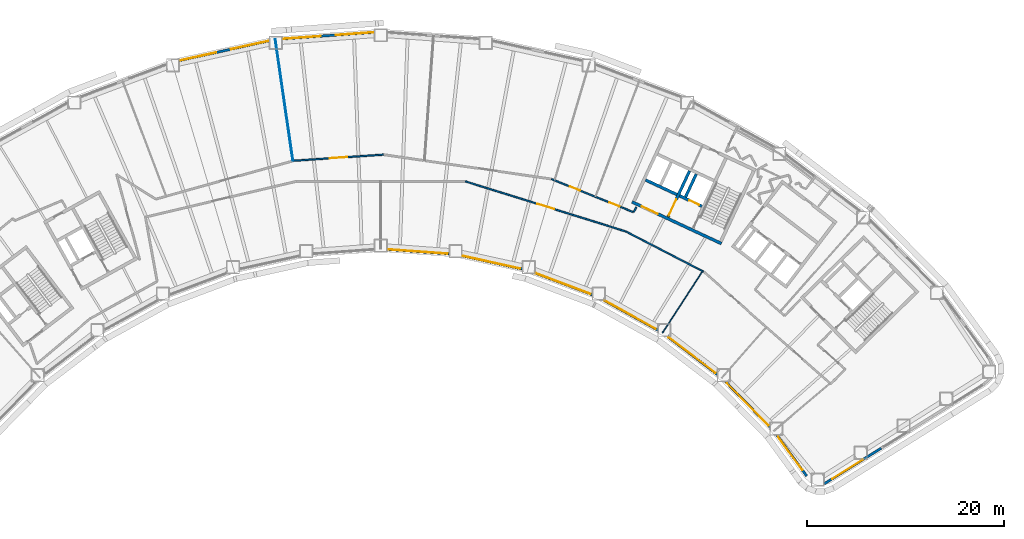
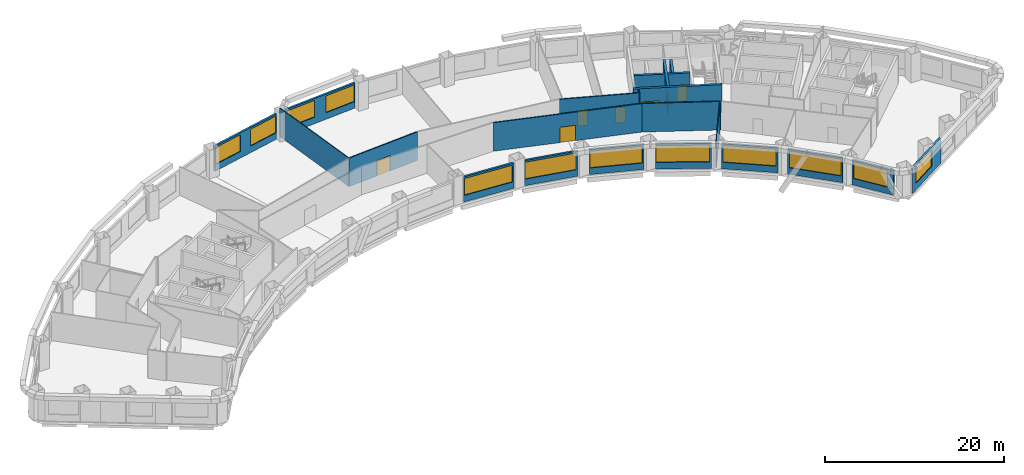
# One storey, part 5 of 11: 22 walls, 12 windows, 7 doors, 19 openings.
"""IFC4 building model written with IfcOpenShell, lengths in metres."""

from ifc_helpers import new_model, si_unit, direction, frame, frame_2d, origin, place, context, subcontext, project, spatial, rectangle, extrude, material, layer, layer_set, type_object, element, fill, save


model = new_model("IFC4")

# Units and contexts
model_context = context("Model", 3, precision=1e-05, world=origin(), true_north=direction((0.0, 1.0)))
body_context = subcontext(model_context, "Body", "Model", "MODEL_VIEW")
ifc_project = project(units=[si_unit("LENGTHUNIT", "METRE"), si_unit("AREAUNIT", "SQUARE_METRE"), si_unit("VOLUMEUNIT", "CUBIC_METRE"), si_unit("PLANEANGLEUNIT", "RADIAN"), si_unit("MASSUNIT", "GRAM", prefix="KILO")], contexts=[model_context])

# Site, building, storey
site_placement = place(None, origin())
site = spatial("IfcSite", under=ifc_project, at=site_placement, CompositionType="ELEMENT")
building_placement = place(site_placement, origin())
building = spatial("IfcBuilding", under=site, at=building_placement, Name="Tuul Gate Civic Tower", CompositionType="ELEMENT")
storey_placement = place(building_placement, frame((0.0, 0.0, 35.699951171875)))
storey = spatial("IfcBuildingStorey", under=building, at=storey_placement, Name="Level 07", CompositionType="ELEMENT", Elevation=35.699951171875)

# Wall, opening, door
ifc_material_1 = material(Name="Concrete C50/60", Category="concrete")
ifc_layer_1 = layer(ifc_material_1, 0.300048828125)
ifc_layer_set_1 = layer_set([ifc_layer_1], Name="Concrete C50/60")
wall_type_1 = type_object("IfcWallType", Name="Core wall C50/60", PredefinedType="SHEAR", material=ifc_layer_set_1)
wall_1_placement = place(storey_placement, frame((34.5283203125, -7.25, 0.0), z_axis=(0.0, 0.0, 1.0), x_axis=(-0.906310338845, 0.422612789327, 0.0)))
wall_1 = element("IfcWall", 1, at=wall_1_placement, inside=storey, type_object=wall_type_1, Name="Core wall", PredefinedType="SHEAR", context=body_context, shape_type="SweptSolid", body=[
    extrude(rectangle(XDim=9.999755859375, YDim=0.300048828125, at=frame_2d((5.0, 0.0))), origin(), (0.0, 0.0, 1.0), 3.900146484375),
])
opening_1_placement = place(wall_1_placement, frame((7.125, 0.0, 0.0)))
opening_1 = element("IfcOpeningElement", 2, at=opening_1_placement, cuts=wall_1, Name="Opening LB-E3-LOBBY-1", PredefinedType="OPENING", context=body_context, shape_type="SweptSolid", body=[
    extrude(rectangle(XDim=1.800048828125, YDim=2.10009765625, at=frame_2d((0.89990234375, 1.050048828125))), frame((0.0, 0.16015625, 0.0), z_axis=(0.0, -1.0, 0.0), x_axis=(1.0, 0.0, 0.0)), (0.0, 0.0, 1.0), 0.320068359375),
])
ifc_material_2 = material(Name="Steel", Category="steel")
door_type_1 = type_object("IfcDoorType", Name="Lobby door", OperationType="DOUBLE_DOOR_SINGLE_SWING", PredefinedType="DOOR", material=ifc_material_2)
door_1_placement = place(opening_1_placement, frame((1.800048828125, 0.0, 0.0), z_axis=(0.0, 0.0, 1.0), x_axis=(-1.0, 0.0, 0.0)))
door_1 = element("IfcDoor", 3, at=door_1_placement, inside=storey, type_object=door_type_1, Name="Lobby door E3-LOBBY", OperationType="DOUBLE_DOOR_SINGLE_SWING", OverallHeight=2.10009765625, OverallWidth=1.800048828125, PredefinedType="DOOR", context=body_context, shape_type="SweptSolid", body=[
    extrude(rectangle(XDim=1.800048828125, YDim=2.10009765625, at=frame_2d((0.900146484375, 1.050048828125))), frame((0.0, 0.02490234375, 0.0), z_axis=(0.0, -1.0, 0.0), x_axis=(1.0, 0.0, 0.0)), (0.0, 0.0, 1.0), 0.050048828125),
])
fill(opening_1, door_1)

wall_2_placement = place(storey_placement, frame((32.545654296875, -3.456787109375, 0.0), z_axis=(0.0, 0.0, 1.0), x_axis=(-0.906300357825, 0.42263419337, 0.0)))
wall_2 = element("IfcWall", 4, at=wall_2_placement, inside=storey, type_object=wall_type_1, Name="Core wall", PredefinedType="SHEAR", context=body_context, shape_type="SweptSolid", body=[
    extrude(rectangle(XDim=2.500244140625, YDim=0.300048828125, at=frame_2d((1.25, 0.0))), origin(), (0.0, 0.0, 1.0), 3.900146484375),
])
opening_2_placement = place(wall_2_placement, frame((0.324951171875, 0.0, 0.0)))
opening_2 = element("IfcOpeningElement", 5, at=opening_2_placement, cuts=wall_2, Name="Opening LD-FF-2", PredefinedType="OPENING", context=body_context, shape_type="SweptSolid", body=[
    extrude(rectangle(XDim=1.10009765625, YDim=2.10009765625, at=frame_2d((0.550048828125, 1.050048828125))), frame((0.0, 0.16015625, 0.0), z_axis=(0.0, -1.0, 0.0), x_axis=(1.0, 0.0, 0.0)), (0.0, 0.0, 1.0), 0.320068359375),
])
ifc_material_3 = material(Name="Stainless steel", Category="steel")
door_type_2 = type_object("IfcDoorType", Name="Landing door", OperationType="DOUBLE_DOOR_SLIDING", PredefinedType="DOOR", material=ifc_material_3)
door_2_placement = place(opening_2_placement, origin())
door_2 = element("IfcDoor", 6, at=door_2_placement, inside=storey, type_object=door_type_2, Name="Fire-fighting lift FF-2 landing door", OperationType="DOUBLE_DOOR_SLIDING", OverallHeight=2.10009765625, OverallWidth=1.10009765625, PredefinedType="DOOR", context=body_context, shape_type="SweptSolid", body=[
    extrude(rectangle(XDim=1.10009765625, YDim=2.10009765625, at=frame_2d((0.550048828125, 1.050048828125))), frame((0.0, 0.02490234375, 0.0), z_axis=(0.0, -1.0, 0.0), x_axis=(1.0, 0.0, 0.0)), (0.0, 0.0, 1.0), 0.050048828125),
])
fill(opening_2, door_2)

# Walls
wall_3_placement = place(storey_placement, frame((30.0078125, -2.2734375, 0.0), z_axis=(0.0, 0.0, 1.0), x_axis=(-0.90630071767, 0.422633421716, 0.0)))
element("IfcWall", 7, at=wall_3_placement, inside=storey, type_object=wall_type_1, Name="Core wall", PredefinedType="SHEAR", context=body_context, shape_type="SweptSolid", body=[
    extrude(rectangle(XDim=3.5, YDim=0.300048828125, at=frame_2d((1.75, 0.0))), origin(), (0.0, 0.0, 1.0), 3.900146484375),
])
wall_4_placement = place(storey_placement, frame((30.886962890625, -2.517822265625, 0.0), z_axis=(0.0, 0.0, 1.0), x_axis=(0.422612891016, 0.906310291427, 0.0)))
element("IfcWall", 8, at=wall_4_placement, inside=storey, type_object=wall_type_1, Name="Core wall", PredefinedType="SHEAR", context=body_context, shape_type="SweptSolid", body=[
    extrude(rectangle(XDim=2.550048828125, YDim=0.300048828125, at=frame_2d((1.27490234375, 0.0))), origin(), (0.0, 0.0, 1.0), 3.900146484375),
])

# Wall, opening, door
wall_5_placement = place(storey_placement, frame((29.108642578125, -4.557373046875, 0.0), z_axis=(0.0, 0.0, 1.0), x_axis=(0.422566235356, 0.90633204552, 0.0)))
wall_5 = element("IfcWall", 9, at=wall_5_placement, inside=storey, type_object=wall_type_1, Name="Core wall", PredefinedType="SHEAR", context=body_context, shape_type="SweptSolid", body=[
    extrude(rectangle(XDim=5.150146484375, YDim=0.300048828125, at=frame_2d((2.5751953125, 0.0))), origin(), (0.0, 0.0, 1.0), 3.900146484375),
])
opening_3_placement = place(wall_5_placement, frame((0.175048828125, 0.0, 0.0)))
opening_3 = element("IfcOpeningElement", 10, at=opening_3_placement, cuts=wall_5, Name="Opening LB-E3-FLOBBY-1", PredefinedType="OPENING", context=body_context, shape_type="SweptSolid", body=[
    extrude(rectangle(XDim=1.800048828125, YDim=2.10009765625, at=frame_2d((0.89990234375, 1.050048828125))), frame((0.0, 0.16015625, 0.0), z_axis=(0.0, -1.0, 0.0), x_axis=(1.0, 0.0, 0.0)), (0.0, 0.0, 1.0), 0.320068359375),
])
door_3_placement = place(opening_3_placement, frame((1.800048828125, 0.0, 0.0), z_axis=(0.0, 0.0, 1.0), x_axis=(-1.0, 0.0, 0.0)))
door_3 = element("IfcDoor", 11, at=door_3_placement, inside=storey, type_object=door_type_1, Name="Lobby door E3-FLOBBY", OperationType="DOUBLE_DOOR_SINGLE_SWING", OverallHeight=2.10009765625, OverallWidth=1.800048828125, PredefinedType="DOOR", context=body_context, shape_type="SweptSolid", body=[
    extrude(rectangle(XDim=1.800048828125, YDim=2.10009765625, at=frame_2d((0.900146484375, 1.050048828125))), frame((0.0, 0.02490234375, 0.0), z_axis=(0.0, -1.0, 0.0), x_axis=(1.0, 0.0, 0.0)), (0.0, 0.0, 1.0), 0.050048828125),
])
fill(opening_3, door_3)

# Wall
ifc_material_4 = material(Name="Gypsum board partition")
ifc_layer_2 = layer(ifc_material_4, 0.14990234375)
ifc_layer_set_2 = layer_set([ifc_layer_2], Name="Gypsum board partition")
wall_type_2 = type_object("IfcWallType", Name="Corridor wall P150", PredefinedType="PARTITIONING", material=ifc_layer_set_2)
wall_6_placement = place(storey_placement, frame((25.640625, -4.05224609375, 0.0), z_axis=(0.0, 0.0, 1.0), x_axis=(0.459613620353, 0.888118978508, 0.0)))
element("IfcWall", 12, at=wall_6_placement, inside=storey, type_object=wall_type_2, Name="p029", PredefinedType="PARTITIONING", context=body_context, shape_type="SweptSolid", body=[
    extrude(rectangle(XDim=0.55712890625, YDim=0.14990234375, at=frame_2d((0.278564453125, 0.0))), origin(), (0.0, 0.0, 1.0), 3.900146484375),
])

# Wall, openings, doors
wall_7_placement = place(storey_placement, frame((17.2890625, -0.700927734375, 0.0), z_axis=(0.0, 0.0, 1.0), x_axis=(0.927281052186, -0.374365930951, 0.0)))
wall_7 = element("IfcWall", 13, at=wall_7_placement, inside=storey, type_object=wall_type_2, Name="p031", PredefinedType="PARTITIONING", context=body_context, shape_type="SweptSolid", body=[
    extrude(rectangle(XDim=8.97802734375, YDim=0.14990234375, at=frame_2d((4.489013671875, 0.0))), origin(), (0.0, 0.0, 1.0), 3.900146484375),
])
opening_4_placement = place(wall_7_placement, frame((6.341064453125, 0.0, 0.0)))
opening_4 = element("IfcOpeningElement", 14, at=opening_4_placement, cuts=wall_7, Name="Opening A-D04", PredefinedType="OPENING", context=body_context, shape_type="SweptSolid", body=[
    extrude(rectangle(XDim=1.10009765625, YDim=2.10009765625, at=frame_2d((0.550048828125, 1.050048828125))), frame((0.0, 0.0849609375, 0.0), z_axis=(0.0, -1.0, 0.0), x_axis=(1.0, 0.0, 0.0)), (0.0, 0.0, 1.0), 0.169921875),
])
opening_5_placement = place(wall_7_placement, frame((2.023681640625, 0.0, 0.0)))
opening_5 = element("IfcOpeningElement", 15, at=opening_5_placement, cuts=wall_7, Name="Opening A-D05", PredefinedType="OPENING", context=body_context, shape_type="SweptSolid", body=[
    extrude(rectangle(XDim=1.10009765625, YDim=2.10009765625, at=frame_2d((0.550048828125, 1.050048828125))), frame((0.0, 0.0849609375, 0.0), z_axis=(0.0, -1.0, 0.0), x_axis=(1.0, 0.0, 0.0)), (0.0, 0.0, 1.0), 0.169921875),
])
ifc_material_5 = material(Name="Timber door leaf", Category="wood")
door_type_3 = type_object("IfcDoorType", Name="Door D11", OperationType="NOTDEFINED", PredefinedType="DOOR", material=ifc_material_5)
door_4_placement = place(opening_4_placement, origin())
door_4 = element("IfcDoor", 16, at=door_4_placement, inside=storey, type_object=door_type_3, Name="Door A-D04", OperationType="SINGLE_SWING_RIGHT", OverallHeight=2.10009765625, OverallWidth=1.10009765625, PredefinedType="DOOR", context=body_context, shape_type="SweptSolid", body=[
    extrude(rectangle(XDim=1.10009765625, YDim=2.10009765625, at=frame_2d((0.550048828125, 1.050048828125))), frame((0.0, 0.02490234375, 0.0), z_axis=(0.0, -1.0, 0.0), x_axis=(1.0, 0.0, 0.0)), (0.0, 0.0, 1.0), 0.050048828125),
])
fill(opening_4, door_4)
door_5_placement = place(opening_5_placement, origin())
door_5 = element("IfcDoor", 17, at=door_5_placement, inside=storey, type_object=door_type_3, Name="Door A-D05", OperationType="SINGLE_SWING_RIGHT", OverallHeight=2.10009765625, OverallWidth=1.10009765625, PredefinedType="DOOR", context=body_context, shape_type="SweptSolid", body=[
    extrude(rectangle(XDim=1.10009765625, YDim=2.10009765625, at=frame_2d((0.550048828125, 1.050048828125))), frame((0.0, 0.02490234375, 0.0), z_axis=(0.0, -1.0, 0.0), x_axis=(1.0, 0.0, 0.0)), (0.0, 0.0, 1.0), 0.050048828125),
])
fill(opening_5, door_5)

# Wall, opening, door
wall_8_placement = place(storey_placement, frame((-8.859619140625, 1.150390625, 0.0), z_axis=(0.0, 0.0, 1.0), x_axis=(0.997685215512, 0.068001549611, 0.0)))
wall_8 = element("IfcWall", 18, at=wall_8_placement, inside=storey, type_object=wall_type_2, Name="p036", PredefinedType="PARTITIONING", context=body_context, shape_type="SweptSolid", body=[
    extrude(rectangle(XDim=9.14794921875, YDim=0.14990234375, at=frame_2d((4.573974609375, 0.0))), origin(), (0.0, 0.0, 1.0), 3.900146484375),
])
opening_6_placement = place(wall_8_placement, frame((3.673828125, 0.0, 0.0)))
opening_6 = element("IfcOpeningElement", 19, at=opening_6_placement, cuts=wall_8, Name="Opening A-D07", PredefinedType="OPENING", context=body_context, shape_type="SweptSolid", body=[
    extrude(rectangle(XDim=1.800048828125, YDim=2.10009765625, at=frame_2d((0.89990234375, 1.050048828125))), frame((0.0, 0.0849609375, 0.0), z_axis=(0.0, -1.0, 0.0), x_axis=(1.0, 0.0, 0.0)), (0.0, 0.0, 1.0), 0.169921875),
])
ifc_material_6 = material(Name="Timber door leaf, double", Category="wood")
door_type_4 = type_object("IfcDoorType", Name="Door D18", OperationType="DOUBLE_DOOR_SINGLE_SWING", PredefinedType="DOOR", material=ifc_material_6)
door_6_placement = place(opening_6_placement, origin())
door_6 = element("IfcDoor", 20, at=door_6_placement, inside=storey, type_object=door_type_4, Name="Door A-D07", OperationType="DOUBLE_DOOR_SINGLE_SWING", OverallHeight=2.10009765625, OverallWidth=1.800048828125, PredefinedType="DOOR", context=body_context, shape_type="SweptSolid", body=[
    extrude(rectangle(XDim=1.800048828125, YDim=2.10009765625, at=frame_2d((0.89990234375, 1.050048828125))), frame((0.0, 0.02490234375, 0.0), z_axis=(0.0, -1.0, 0.0), x_axis=(1.0, 0.0, 0.0)), (0.0, 0.0, 1.0), 0.050048828125),
])
fill(opening_6, door_6)

# Wall
wall_9_placement = place(storey_placement, frame((24.8642578125, -6.023681640625, 0.0), z_axis=(0.0, 0.0, 1.0), x_axis=(0.888095926635, -0.459658161132, 0.0)))
element("IfcWall", 21, at=wall_9_placement, inside=storey, type_object=wall_type_2, Name="p056", PredefinedType="PARTITIONING", context=body_context, shape_type="SweptSolid", body=[
    extrude(rectangle(XDim=8.83642578125, YDim=0.14990234375, at=frame_2d((4.418212890625, 0.0))), origin(), (0.0, 0.0, 1.0), 3.900146484375),
])

# Wall, opening, door
wall_10_placement = place(storey_placement, frame((8.5595703125, -0.934326171875, 0.0), z_axis=(0.0, 0.0, 1.0), x_axis=(0.954573525143, -0.29797547734, 0.0)))
wall_10 = element("IfcWall", 22, at=wall_10_placement, inside=storey, type_object=wall_type_2, Name="p059", PredefinedType="PARTITIONING", context=body_context, shape_type="SweptSolid", body=[
    extrude(rectangle(XDim=17.08056640625, YDim=0.14990234375, at=frame_2d((8.540283203125, 0.0))), origin(), (0.0, 0.0, 1.0), 3.900146484375),
])
opening_7_placement = place(wall_10_placement, frame((7.640380859375, 0.0, 0.0)))
opening_7 = element("IfcOpeningElement", 23, at=opening_7_placement, cuts=wall_10, Name="Opening A-D15", PredefinedType="OPENING", context=body_context, shape_type="SweptSolid", body=[
    extrude(rectangle(XDim=1.800048828125, YDim=2.10009765625, at=frame_2d((0.89990234375, 1.050048828125))), frame((0.0, 0.0849609375, 0.0), z_axis=(0.0, -1.0, 0.0), x_axis=(1.0, 0.0, 0.0)), (0.0, 0.0, 1.0), 0.169921875),
])
door_7_placement = place(opening_7_placement, frame((1.800048828125, 0.0, 0.0), z_axis=(0.0, 0.0, 1.0), x_axis=(-1.0, 0.0, 0.0)))
door_7 = element("IfcDoor", 24, at=door_7_placement, inside=storey, type_object=door_type_4, Name="Door A-D15", OperationType="DOUBLE_DOOR_SINGLE_SWING", OverallHeight=2.10009765625, OverallWidth=1.800048828125, PredefinedType="DOOR", context=body_context, shape_type="SweptSolid", body=[
    extrude(rectangle(XDim=1.800048828125, YDim=2.10009765625, at=frame_2d((0.900146484375, 1.050048828125))), frame((0.0, 0.02490234375, 0.0), z_axis=(0.0, -1.0, 0.0), x_axis=(1.0, 0.0, 0.0)), (0.0, 0.0, 1.0), 0.050048828125),
])
fill(opening_7, door_7)

# Wall, openings, windows
ifc_material_7 = material(Name="Precast concrete C40/50", Category="concrete")
ifc_layer_3 = layer(ifc_material_7, 0.25)
ifc_layer_set_3 = layer_set([ifc_layer_3], Name="Precast concrete C40/50")
wall_type_3 = type_object("IfcWallType", Name="External wall", PredefinedType="STANDARD", material=ifc_layer_set_3)
wall_11_placement = place(storey_placement, frame((-0.64990234375, 14.177490234375, 0.0), z_axis=(0.0, 0.0, 1.0), x_axis=(-0.997388413682, -0.072224318983, 0.0)))
wall_11 = element("IfcWall", 25, at=wall_11_placement, inside=storey, type_object=wall_type_3, Name="External wall", PredefinedType="STANDARD", context=body_context, shape_type="SweptSolid", body=[
    extrude(rectangle(XDim=9.37353515625, YDim=0.25, at=frame_2d((4.686767578125, 0.0))), origin(), (0.0, 0.0, 1.0), 3.449951171875),
])
opening_8_placement = place(wall_11_placement, frame((0.099853515625, 0.0, 0.89990234375)))
opening_8 = element("IfcOpeningElement", 26, at=opening_8_placement, cuts=wall_11, Name="Opening W22", PredefinedType="OPENING", context=body_context, shape_type="SweptSolid", body=[
    extrude(rectangle(XDim=3.85009765625, YDim=2.300048828125, at=frame_2d((1.925048828125, 1.14990234375))), frame((0.0, 0.135009765625, 0.0), z_axis=(0.0, -1.0, 0.0), x_axis=(1.0, 0.0, 0.0)), (0.0, 0.0, 1.0), 0.27001953125),
])
opening_9_placement = place(wall_11_placement, frame((5.470703125, 0.0, 0.89990234375)))
opening_9 = element("IfcOpeningElement", 27, at=opening_9_placement, cuts=wall_11, Name="Opening W22", PredefinedType="OPENING", context=body_context, shape_type="SweptSolid", body=[
    extrude(rectangle(XDim=3.85009765625, YDim=2.300048828125, at=frame_2d((1.925048828125, 1.14990234375))), frame((0.0, 0.135009765625, 0.0), z_axis=(0.0, -1.0, 0.0), x_axis=(1.0, 0.0, 0.0)), (0.0, 0.0, 1.0), 0.27001953125),
])
ifc_material_8 = material(Name="Glass", Category="glass")
window_type_1 = type_object("IfcWindowType", Name="Window W22 3850 x 2300", PartitioningType="SINGLE_PANEL", PredefinedType="WINDOW", material=ifc_material_8)
window_1_placement = place(opening_8_placement, origin())
window_1 = element("IfcWindow", 28, at=window_1_placement, inside=storey, type_object=window_type_1, Name="Window", OverallHeight=2.300048828125, OverallWidth=3.85009765625, PartitioningType="SINGLE_PANEL", PredefinedType="WINDOW", context=body_context, shape_type="SweptSolid", body=[
    extrude(rectangle(XDim=3.85009765625, YDim=2.300048828125, at=frame_2d((1.925048828125, 1.14990234375))), frame((0.0, 0.030029296875, 0.0), z_axis=(0.0, -1.0, 0.0), x_axis=(1.0, 0.0, 0.0)), (0.0, 0.0, 1.0), 0.06005859375),
])
fill(opening_8, window_1)
window_2_placement = place(opening_9_placement, origin())
window_2 = element("IfcWindow", 29, at=window_2_placement, inside=storey, type_object=window_type_1, Name="Window", OverallHeight=2.300048828125, OverallWidth=3.85009765625, PartitioningType="SINGLE_PANEL", PredefinedType="WINDOW", context=body_context, shape_type="SweptSolid", body=[
    extrude(rectangle(XDim=3.85009765625, YDim=2.300048828125, at=frame_2d((1.925048828125, 1.14990234375))), frame((0.0, 0.030029296875, 0.0), z_axis=(0.0, -1.0, 0.0), x_axis=(1.0, 0.0, 0.0)), (0.0, 0.0, 1.0), 0.06005859375),
])
fill(opening_9, window_2)

wall_12_placement = place(storey_placement, frame((-11.299072265625, 13.317138671875, 0.0), z_axis=(0.0, 0.0, 1.0), x_axis=(-0.97654219172, -0.215326142841, 0.0)))
wall_12 = element("IfcWall", 30, at=wall_12_placement, inside=storey, type_object=wall_type_3, Name="External wall", PredefinedType="STANDARD", context=body_context, shape_type="SweptSolid", body=[
    extrude(rectangle(XDim=9.34716796875, YDim=0.25, at=frame_2d((4.673583984375, 0.0))), origin(), (0.0, 0.0, 1.0), 3.449951171875),
])
opening_10_placement = place(wall_12_placement, frame((0.134033203125, 0.0, 0.89990234375)))
opening_10 = element("IfcOpeningElement", 31, at=opening_10_placement, cuts=wall_12, Name="Opening W22", PredefinedType="OPENING", context=body_context, shape_type="SweptSolid", body=[
    extrude(rectangle(XDim=3.85009765625, YDim=2.300048828125, at=frame_2d((1.925048828125, 1.14990234375))), frame((0.0, 0.135009765625, 0.0), z_axis=(0.0, -1.0, 0.0), x_axis=(1.0, 0.0, 0.0)), (0.0, 0.0, 1.0), 0.27001953125),
])
opening_11_placement = place(wall_12_placement, frame((5.5029296875, 0.0, 0.89990234375)))
opening_11 = element("IfcOpeningElement", 32, at=opening_11_placement, cuts=wall_12, Name="Opening W100", PredefinedType="OPENING", context=body_context, shape_type="SweptSolid", body=[
    extrude(rectangle(XDim=3.800048828125, YDim=2.300048828125, at=frame_2d((1.89990234375, 1.14990234375))), frame((0.0, 0.135009765625, 0.0), z_axis=(0.0, -1.0, 0.0), x_axis=(1.0, 0.0, 0.0)), (0.0, 0.0, 1.0), 0.27001953125),
])
ifc_material_9 = material(Name="Glass", Category="glass")
window_type_2 = type_object("IfcWindowType", Name="Window W100 3800 x 2300", PartitioningType="SINGLE_PANEL", PredefinedType="WINDOW", material=ifc_material_9)
window_3_placement = place(opening_11_placement, origin())
window_3 = element("IfcWindow", 33, at=window_3_placement, inside=storey, type_object=window_type_2, Name="Window", OverallHeight=2.300048828125, OverallWidth=3.800048828125, PartitioningType="SINGLE_PANEL", PredefinedType="WINDOW", context=body_context, shape_type="SweptSolid", body=[
    extrude(rectangle(XDim=3.800048828125, YDim=2.300048828125, at=frame_2d((1.89990234375, 1.14990234375))), frame((0.0, 0.030029296875, 0.0), z_axis=(0.0, -1.0, 0.0), x_axis=(1.0, 0.0, 0.0)), (0.0, 0.0, 1.0), 0.06005859375),
])
fill(opening_11, window_3)
window_4_placement = place(opening_10_placement, origin())
window_4 = element("IfcWindow", 34, at=window_4_placement, inside=storey, type_object=window_type_1, Name="Window", OverallHeight=2.300048828125, OverallWidth=3.85009765625, PartitioningType="SINGLE_PANEL", PredefinedType="WINDOW", context=body_context, shape_type="SweptSolid", body=[
    extrude(rectangle(XDim=3.85009765625, YDim=2.300048828125, at=frame_2d((1.925048828125, 1.14990234375))), frame((0.0, 0.030029296875, 0.0), z_axis=(0.0, -1.0, 0.0), x_axis=(1.0, 0.0, 0.0)), (0.0, 0.0, 1.0), 0.06005859375),
])
fill(opening_10, window_4)

# Wall, opening, window
wall_13_placement = place(storey_placement, frame((0.64990234375, -7.830810546875, 0.0), z_axis=(0.0, 0.0, 1.0), x_axis=(0.997395047269, -0.072132653374, 0.0)))
wall_13 = element("IfcWall", 35, at=wall_13_placement, inside=storey, type_object=wall_type_3, Name="External wall", PredefinedType="STANDARD", context=body_context, shape_type="SweptSolid", body=[
    extrude(rectangle(XDim=6.28857421875, YDim=0.25, at=frame_2d((3.144287109375, 0.0))), origin(), (0.0, 0.0, 1.0), 3.449951171875),
])
opening_12_placement = place(wall_13_placement, frame((0.12060546875, 0.0, 0.89990234375)))
opening_12 = element("IfcOpeningElement", 36, at=opening_12_placement, cuts=wall_13, Name="Opening W26", PredefinedType="OPENING", context=body_context, shape_type="SweptSolid", body=[
    extrude(rectangle(XDim=6.0, YDim=2.300048828125, at=frame_2d((3.0, 1.14990234375))), frame((0.0, 0.135009765625, 0.0), z_axis=(0.0, -1.0, 0.0), x_axis=(1.0, 0.0, 0.0)), (0.0, 0.0, 1.0), 0.27001953125),
])
ifc_material_10 = material(Name="Glass", Category="glass")
window_type_3 = type_object("IfcWindowType", Name="Window W26 6000 x 2300", PartitioningType="SINGLE_PANEL", PredefinedType="WINDOW", material=ifc_material_10)
window_5_placement = place(opening_12_placement, origin())
window_5 = element("IfcWindow", 37, at=window_5_placement, inside=storey, type_object=window_type_3, Name="Window", OverallHeight=2.300048828125, OverallWidth=6.0, PartitioningType="SINGLE_PANEL", PredefinedType="WINDOW", context=body_context, shape_type="SweptSolid", body=[
    extrude(rectangle(XDim=6.0, YDim=2.300048828125, at=frame_2d((3.0, 1.14990234375))), frame((0.0, 0.030029296875, 0.0), z_axis=(0.0, -1.0, 0.0), x_axis=(1.0, 0.0, 0.0)), (0.0, 0.0, 1.0), 0.06005859375),
])
fill(opening_12, window_5)

wall_14_placement = place(storey_placement, frame((8.221923828125, -8.481689453125, 0.0), z_axis=(0.0, 0.0, 1.0), x_axis=(0.97656633669, -0.215216611915, 0.0)))
wall_14 = element("IfcWall", 38, at=wall_14_placement, inside=storey, type_object=wall_type_3, Name="External wall", PredefinedType="STANDARD", context=body_context, shape_type="SweptSolid", body=[
    extrude(rectangle(XDim=6.2607421875, YDim=0.25, at=frame_2d((3.13037109375, 0.0))), origin(), (0.0, 0.0, 1.0), 3.449951171875),
])
opening_13_placement = place(wall_14_placement, frame((0.05859375, 0.0, 0.89990234375)))
opening_13 = element("IfcOpeningElement", 39, at=opening_13_placement, cuts=wall_14, Name="Opening W26", PredefinedType="OPENING", context=body_context, shape_type="SweptSolid", body=[
    extrude(rectangle(XDim=6.0, YDim=2.300048828125, at=frame_2d((3.0, 1.14990234375))), frame((0.0, 0.135009765625, 0.0), z_axis=(0.0, -1.0, 0.0), x_axis=(1.0, 0.0, 0.0)), (0.0, 0.0, 1.0), 0.27001953125),
])
window_6_placement = place(opening_13_placement, origin())
window_6 = element("IfcWindow", 40, at=window_6_placement, inside=storey, type_object=window_type_3, Name="Window", OverallHeight=2.300048828125, OverallWidth=6.0, PartitioningType="SINGLE_PANEL", PredefinedType="WINDOW", context=body_context, shape_type="SweptSolid", body=[
    extrude(rectangle(XDim=6.0, YDim=2.300048828125, at=frame_2d((3.0, 1.14990234375))), frame((0.0, 0.030029296875, 0.0), z_axis=(0.0, -1.0, 0.0), x_axis=(1.0, 0.0, 0.0)), (0.0, 0.0, 1.0), 0.06005859375),
])
fill(opening_13, window_6)

wall_15_placement = place(storey_placement, frame((15.635986328125, -10.23291015625, 0.0), z_axis=(0.0, 0.0, 1.0), x_axis=(0.935359836581, -0.353697577193, 0.0)))
wall_15 = element("IfcWall", 41, at=wall_15_placement, inside=storey, type_object=wall_type_3, Name="External wall", PredefinedType="STANDARD", context=body_context, shape_type="SweptSolid", body=[
    extrude(rectangle(XDim=6.201904296875, YDim=0.25, at=frame_2d((3.10107421875, 0.0))), origin(), (0.0, 0.0, 1.0), 3.449951171875),
])
opening_14_placement = place(wall_15_placement, frame((0.0458984375, 0.0, 0.89990234375)))
opening_14 = element("IfcOpeningElement", 42, at=opening_14_placement, cuts=wall_15, Name="Opening W101", PredefinedType="OPENING", context=body_context, shape_type="SweptSolid", body=[
    extrude(rectangle(XDim=5.949951171875, YDim=2.300048828125, at=frame_2d((2.97509765625, 1.14990234375))), frame((0.0, 0.135009765625, 0.0), z_axis=(0.0, -1.0, 0.0), x_axis=(1.0, 0.0, 0.0)), (0.0, 0.0, 1.0), 0.27001953125),
])
ifc_material_11 = material(Name="Glass", Category="glass")
window_type_4 = type_object("IfcWindowType", Name="Window W101 5950 x 2300", PartitioningType="SINGLE_PANEL", PredefinedType="WINDOW", material=ifc_material_11)
window_7_placement = place(opening_14_placement, origin())
window_7 = element("IfcWindow", 43, at=window_7_placement, inside=storey, type_object=window_type_4, Name="Window", OverallHeight=2.300048828125, OverallWidth=5.949951171875, PartitioningType="SINGLE_PANEL", PredefinedType="WINDOW", context=body_context, shape_type="SweptSolid", body=[
    extrude(rectangle(XDim=5.949951171875, YDim=2.300048828125, at=frame_2d((2.97509765625, 1.14990234375))), frame((0.0, 0.030029296875, 0.0), z_axis=(0.0, -1.0, 0.0), x_axis=(1.0, 0.0, 0.0)), (0.0, 0.0, 1.0), 0.06005859375),
])
fill(opening_14, window_7)

wall_16_placement = place(storey_placement, frame((22.589599609375, -12.97509765625, 0.0), z_axis=(0.0, 0.0, 1.0), x_axis=(0.874630436192, -0.484790264018, 0.0)))
wall_16 = element("IfcWall", 44, at=wall_16_placement, inside=storey, type_object=wall_type_3, Name="External wall", PredefinedType="STANDARD", context=body_context, shape_type="SweptSolid", body=[
    extrude(rectangle(XDim=6.27392578125, YDim=0.25, at=frame_2d((3.136962890625, 0.0))), origin(), (0.0, 0.0, 1.0), 3.449951171875),
])
opening_15_placement = place(wall_16_placement, frame((0.0869140625, 0.0, 0.89990234375)))
opening_15 = element("IfcOpeningElement", 45, at=opening_15_placement, cuts=wall_16, Name="Opening W101", PredefinedType="OPENING", context=body_context, shape_type="SweptSolid", body=[
    extrude(rectangle(XDim=5.949951171875, YDim=2.300048828125, at=frame_2d((2.97509765625, 1.14990234375))), frame((0.0, 0.135009765625, 0.0), z_axis=(0.0, -1.0, 0.0), x_axis=(1.0, 0.0, 0.0)), (0.0, 0.0, 1.0), 0.27001953125),
])
window_8_placement = place(opening_15_placement, origin())
window_8 = element("IfcWindow", 46, at=window_8_placement, inside=storey, type_object=window_type_4, Name="Window", OverallHeight=2.300048828125, OverallWidth=5.949951171875, PartitioningType="SINGLE_PANEL", PredefinedType="WINDOW", context=body_context, shape_type="SweptSolid", body=[
    extrude(rectangle(XDim=5.949951171875, YDim=2.300048828125, at=frame_2d((2.97509765625, 1.14990234375))), frame((0.0, 0.030029296875, 0.0), z_axis=(0.0, -1.0, 0.0), x_axis=(1.0, 0.0, 0.0)), (0.0, 0.0, 1.0), 0.06005859375),
])
fill(opening_15, window_8)

wall_17_placement = place(storey_placement, frame((29.044921875, -16.656005859375, 0.0), z_axis=(0.0, 0.0, 1.0), x_axis=(0.795571471624, -0.605859747416, 0.0)))
wall_17 = element("IfcWall", 47, at=wall_17_placement, inside=storey, type_object=wall_type_3, Name="External wall", PredefinedType="STANDARD", context=body_context, shape_type="SweptSolid", body=[
    extrude(rectangle(XDim=6.375244140625, YDim=0.25, at=frame_2d((3.1875, 0.0))), origin(), (0.0, 0.0, 1.0), 3.449951171875),
])
opening_16_placement = place(wall_17_placement, frame((0.1484375, 0.0, 0.89990234375)))
opening_16 = element("IfcOpeningElement", 48, at=opening_16_placement, cuts=wall_17, Name="Opening W26", PredefinedType="OPENING", context=body_context, shape_type="SweptSolid", body=[
    extrude(rectangle(XDim=6.0, YDim=2.300048828125, at=frame_2d((3.0, 1.14990234375))), frame((0.0, 0.135009765625, 0.0), z_axis=(0.0, -1.0, 0.0), x_axis=(1.0, 0.0, 0.0)), (0.0, 0.0, 1.0), 0.27001953125),
])
window_9_placement = place(opening_16_placement, origin())
window_9 = element("IfcWindow", 49, at=window_9_placement, inside=storey, type_object=window_type_3, Name="Window", OverallHeight=2.300048828125, OverallWidth=6.0, PartitioningType="SINGLE_PANEL", PredefinedType="WINDOW", context=body_context, shape_type="SweptSolid", body=[
    extrude(rectangle(XDim=6.0, YDim=2.300048828125, at=frame_2d((3.0, 1.14990234375))), frame((0.0, 0.030029296875, 0.0), z_axis=(0.0, -1.0, 0.0), x_axis=(1.0, 0.0, 0.0)), (0.0, 0.0, 1.0), 0.06005859375),
])
fill(opening_16, window_9)

wall_18_placement = place(storey_placement, frame((34.948974609375, -21.2548828125, 0.0), z_axis=(0.0, 0.0, 1.0), x_axis=(0.699998211198, -0.714144596227, 0.0)))
wall_18 = element("IfcWall", 50, at=wall_18_placement, inside=storey, type_object=wall_type_3, Name="External wall", PredefinedType="STANDARD", context=body_context, shape_type="SweptSolid", body=[
    extrude(rectangle(XDim=6.40283203125, YDim=0.25, at=frame_2d((3.201416015625, 0.0))), origin(), (0.0, 0.0, 1.0), 3.449951171875),
])
opening_17_placement = place(wall_18_placement, frame((0.203857421875, 0.0, 0.89990234375)))
opening_17 = element("IfcOpeningElement", 51, at=opening_17_placement, cuts=wall_18, Name="Opening W26", PredefinedType="OPENING", context=body_context, shape_type="SweptSolid", body=[
    extrude(rectangle(XDim=6.0, YDim=2.300048828125, at=frame_2d((3.0, 1.14990234375))), frame((0.0, 0.135009765625, 0.0), z_axis=(0.0, -1.0, 0.0), x_axis=(1.0, 0.0, 0.0)), (0.0, 0.0, 1.0), 0.27001953125),
])
window_10_placement = place(opening_17_placement, origin())
window_10 = element("IfcWindow", 52, at=window_10_placement, inside=storey, type_object=window_type_3, Name="Window", OverallHeight=2.300048828125, OverallWidth=6.0, PartitioningType="SINGLE_PANEL", PredefinedType="WINDOW", context=body_context, shape_type="SweptSolid", body=[
    extrude(rectangle(XDim=6.0, YDim=2.300048828125, at=frame_2d((3.0, 1.14990234375))), frame((0.0, 0.030029296875, 0.0), z_axis=(0.0, -1.0, 0.0), x_axis=(1.0, 0.0, 0.0)), (0.0, 0.0, 1.0), 0.06005859375),
])
fill(opening_17, window_10)

wall_19_placement = place(storey_placement, frame((40.1533203125, -26.676025390625, 0.0), z_axis=(0.0, 0.0, 1.0), x_axis=(0.589712900291, -0.807612961282, 0.0)))
wall_19 = element("IfcWall", 53, at=wall_19_placement, inside=storey, type_object=wall_type_3, Name="External wall", PredefinedType="STANDARD", context=body_context, shape_type="SweptSolid", body=[
    extrude(rectangle(XDim=5.120361328125, YDim=0.25, at=frame_2d((2.56005859375, 0.0))), origin(), (0.0, 0.0, 1.0), 3.449951171875),
])
opening_18_placement = place(wall_19_placement, frame((0.218017578125, 0.0, 0.89990234375)))
opening_18 = element("IfcOpeningElement", 54, at=opening_18_placement, cuts=wall_19, Name="Opening W25", PredefinedType="OPENING", context=body_context, shape_type="SweptSolid", body=[
    extrude(rectangle(XDim=4.14990234375, YDim=2.300048828125, at=frame_2d((2.074951171875, 1.14990234375))), frame((0.0, 0.135009765625, 0.0), z_axis=(0.0, -1.0, 0.0), x_axis=(1.0, 0.0, 0.0)), (0.0, 0.0, 1.0), 0.27001953125),
])
ifc_material_12 = material(Name="Glass", Category="glass")
window_type_5 = type_object("IfcWindowType", Name="Window W25 4150 x 2300", PartitioningType="SINGLE_PANEL", PredefinedType="WINDOW", material=ifc_material_12)
window_11_placement = place(opening_18_placement, origin())
window_11 = element("IfcWindow", 55, at=window_11_placement, inside=storey, type_object=window_type_5, Name="Window", OverallHeight=2.300048828125, OverallWidth=4.14990234375, PartitioningType="SINGLE_PANEL", PredefinedType="WINDOW", context=body_context, shape_type="SweptSolid", body=[
    extrude(rectangle(XDim=4.14990234375, YDim=2.300048828125, at=frame_2d((2.074951171875, 1.14990234375))), frame((0.0, 0.030029296875, 0.0), z_axis=(0.0, -1.0, 0.0), x_axis=(1.0, 0.0, 0.0)), (0.0, 0.0, 1.0), 0.06005859375),
])
fill(opening_18, window_11)

wall_20_placement = place(storey_placement, frame((44.950927734375, -31.5869140625, 0.0), z_axis=(0.0, 0.0, 1.0), x_axis=(0.848068815002, 0.529886105707, 0.0)))
wall_20 = element("IfcWall", 56, at=wall_20_placement, inside=storey, type_object=wall_type_3, Name="External wall", PredefinedType="STANDARD", context=body_context, shape_type="SweptSolid", body=[
    extrude(rectangle(XDim=6.807373046875, YDim=0.25, at=frame_2d((3.40380859375, 0.0))), origin(), (0.0, 0.0, 1.0), 3.449951171875),
])
opening_19_placement = place(wall_20_placement, frame((0.943115234375, 0.0, 0.89990234375)))
opening_19 = element("IfcOpeningElement", 57, at=opening_19_placement, cuts=wall_20, Name="Opening W21", PredefinedType="OPENING", context=body_context, shape_type="SweptSolid", body=[
    extrude(rectangle(XDim=3.699951171875, YDim=2.300048828125, at=frame_2d((1.85009765625, 1.14990234375))), frame((0.0, 0.135009765625, 0.0), z_axis=(0.0, -1.0, 0.0), x_axis=(1.0, 0.0, 0.0)), (0.0, 0.0, 1.0), 0.27001953125),
])
ifc_material_13 = material(Name="Glass", Category="glass")
window_type_6 = type_object("IfcWindowType", Name="Window W21 3700 x 2300", PartitioningType="SINGLE_PANEL", PredefinedType="WINDOW", material=ifc_material_13)
window_12_placement = place(opening_19_placement, origin())
window_12 = element("IfcWindow", 58, at=window_12_placement, inside=storey, type_object=window_type_6, Name="Window", OverallHeight=2.300048828125, OverallWidth=3.699951171875, PartitioningType="SINGLE_PANEL", PredefinedType="WINDOW", context=body_context, shape_type="SweptSolid", body=[
    extrude(rectangle(XDim=3.699951171875, YDim=2.300048828125, at=frame_2d((1.85009765625, 1.14990234375))), frame((0.0, 0.030029296875, 0.0), z_axis=(0.0, -1.0, 0.0), x_axis=(1.0, 0.0, 0.0)), (0.0, 0.0, 1.0), 0.06005859375),
])
fill(opening_19, window_12)

# Walls
ifc_material_14 = material(Name="Gypsum board partition")
ifc_layer_4 = layer(ifc_material_14, 0.10009765625)
ifc_layer_set_4 = layer_set([ifc_layer_4], Name="Gypsum board partition")
wall_type_4 = type_object("IfcWallType", Name="Partition P100", PredefinedType="PARTITIONING", material=ifc_layer_set_4)
wall_21_placement = place(storey_placement, frame((-10.696533203125, 13.454833984375, 0.0), z_axis=(0.0, 0.0, 1.0), x_axis=(0.144054399336, -0.989569770169, 0.0)))
element("IfcWall", 59, at=wall_21_placement, inside=storey, type_object=wall_type_4, Name="p035", PredefinedType="PARTITIONING", context=body_context, shape_type="SweptSolid", body=[
    extrude(rectangle(XDim=12.446533203125, YDim=0.10009765625, at=frame_2d((6.22314453125, 0.0))), origin(), (0.0, 0.0, 1.0), 3.900146484375),
])
wall_22_placement = place(storey_placement, frame((28.5458984375, -16.2822265625, 0.0), z_axis=(0.0, 0.0, 1.0), x_axis=(0.546718163474, 0.837316696195, 0.0)))
element("IfcWall", 60, at=wall_22_placement, inside=storey, type_object=wall_type_4, Name="p055", PredefinedType="PARTITIONING", context=body_context, shape_type="SweptSolid", body=[
    extrude(rectangle(XDim=7.4560546875, YDim=0.10009765625, at=frame_2d((3.72802734375, 0.0))), origin(), (0.0, 0.0, 1.0), 3.900146484375),
])

save(model, "model.ifc")
